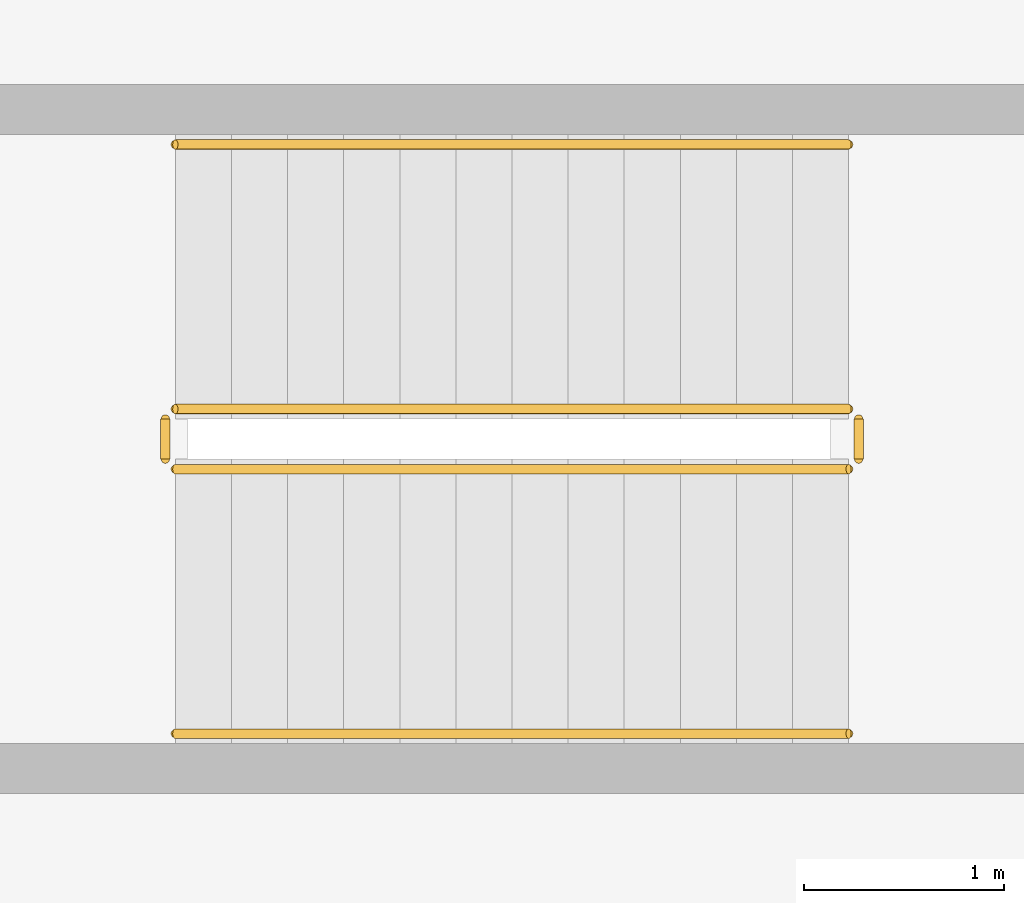
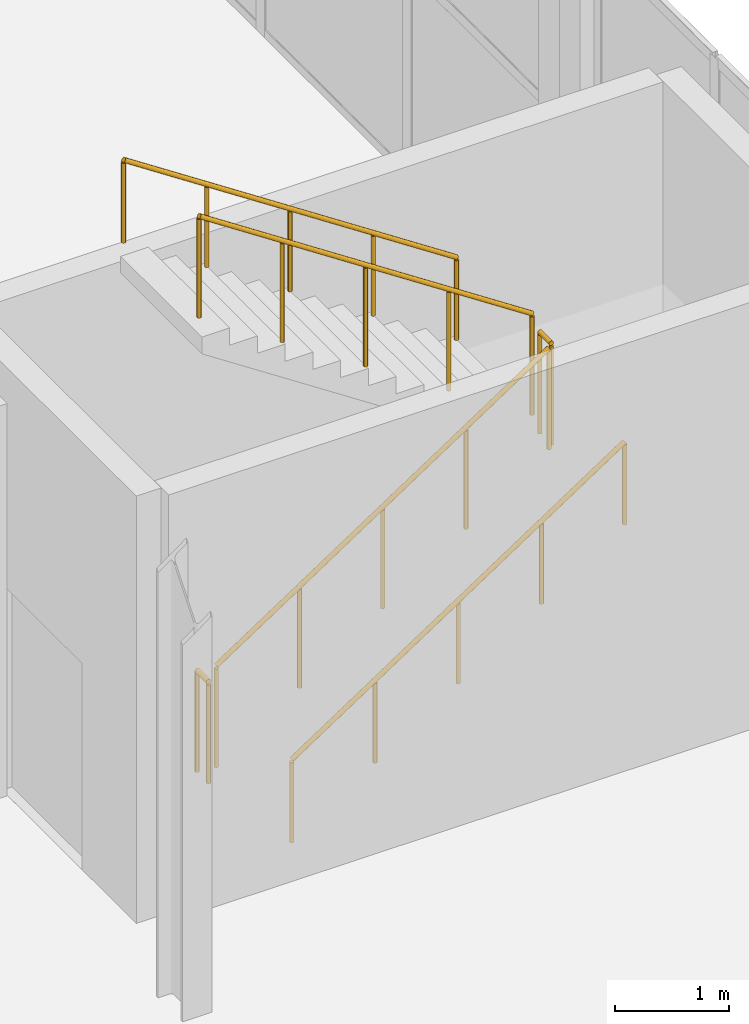
# One storey, part 110 of 120: 6 railings.
"""IFC4 building model written with IfcOpenShell, lengths in metres."""

from ifc_helpers import new_model, si_unit, direction, frame, origin, origin_2d, place, context, subcontext, project, spatial, circle, extrude, material, type_object, element, save


model = new_model("IFC4")

# Units and contexts
model_context = context("Model", 3, precision=1e-05, world=origin(), true_north=direction((0.0, 1.0)))
body_context = subcontext(model_context, "Body", "Model", "MODEL_VIEW")
ifc_project = project(units=[si_unit("LENGTHUNIT", "METRE"), si_unit("AREAUNIT", "SQUARE_METRE"), si_unit("VOLUMEUNIT", "CUBIC_METRE"), si_unit("PLANEANGLEUNIT", "RADIAN"), si_unit("MASSUNIT", "GRAM", prefix="KILO")], contexts=[model_context])

# Site, building, storey
site_placement = place(None, origin())
site = spatial("IfcSite", under=ifc_project, at=site_placement, CompositionType="ELEMENT")
building_placement = place(site_placement, origin())
building = spatial("IfcBuilding", under=site, at=building_placement, Name="Vekula Escarpment Museum", CompositionType="ELEMENT")
storey_placement = place(building_placement, frame((0.0, 0.0, 13.199951171875)))
storey = spatial("IfcBuildingStorey", under=building, at=storey_placement, Name="L03", CompositionType="ELEMENT", Elevation=13.199951171875)

# Railings
ifc_material_1 = material(Name="Painted Steel S355 stair guard", Category="steel")
railing_type_1 = type_object("IfcRailingType", Name="RL-STAIR-GUARD", PredefinedType="GUARDRAIL", material=ifc_material_1)
railing_1_placement = place(storey_placement, frame((119.919921875, 55.3701171875, 0.1845703125)))
element("IfcRailing", 1, at=railing_1_placement, inside=storey, type_object=railing_type_1, Name="L03 ST-08 stair guard 1", PredefinedType="GUARDRAIL", context=body_context, shape_type="SweptSolid", body=[
    extrude(circle(Radius=0.02392578125, at=origin_2d()), frame((0.0, 0.0, 1.076171875), z_axis=(0.834848600103, 0.0, 0.550479622607), x_axis=(0.0, 1.0, 0.0)), (0.0, 0.0, 1.0), 4.02490234375),
    extrude(circle(Radius=0.02099609375, at=origin_2d()), origin(), (0.0, 0.0, 1.0), 1.052001953125),
    extrude(circle(Radius=0.02099609375, at=origin_2d()), frame((0.840087890625, 0.0, 0.553955078125)), (0.0, 0.0, 1.0), 1.052001953125),
    extrude(circle(Radius=0.02099609375, at=origin_2d()), frame((1.68017578125, 0.0, 1.10791015625)), (0.0, 0.0, 1.0), 1.052001953125),
    extrude(circle(Radius=0.02099609375, at=origin_2d()), frame((2.52001953125, 0.0, 1.66162109375)), (0.0, 0.0, 1.0), 1.052001953125),
    extrude(circle(Radius=0.02099609375, at=origin_2d()), frame((3.360107421875, 0.0, 2.215576171875)), (0.0, 0.0, 1.0), 1.052001953125),
])
railing_2_placement = place(storey_placement, frame((123.330078125, 55.419921875, 2.400146484375)))
element("IfcRailing", 2, at=railing_2_placement, inside=storey, type_object=railing_type_1, Name="L03 ST-08 stair guard 2", PredefinedType="GUARDRAIL", context=body_context, shape_type="SweptSolid", body=[
    extrude(circle(Radius=0.02392578125, at=origin_2d()), frame((0.0, 0.0, 1.076171875), z_axis=(0.0, 1.0, 0.0), x_axis=(-1.0, 0.0, 0.0)), (0.0, 0.0, 1.0), 0.2001953125),
    extrude(circle(Radius=0.02099609375, at=origin_2d()), origin(), (0.0, 0.0, 1.0), 1.052001953125),
    extrude(circle(Radius=0.02099609375, at=origin_2d()), frame((0.0, 0.2001953125, 0.0)), (0.0, 0.0, 1.0), 1.052001953125),
])
railing_3_placement = place(storey_placement, frame((123.280029296875, 55.669921875, 2.584716796875)))
element("IfcRailing", 3, at=railing_3_placement, inside=storey, type_object=railing_type_1, Name="L03 ST-08 stair guard 3", PredefinedType="GUARDRAIL", context=body_context, shape_type="SweptSolid", body=[
    extrude(circle(Radius=0.02392578125, at=origin_2d()), frame((0.0, 0.0, 1.076171875), z_axis=(-0.834876476806, 0.0, 0.550437342915), x_axis=(0.0, -1.0, 0.0)), (0.0, 0.0, 1.0), 4.024658203125),
    extrude(circle(Radius=0.02099609375, at=origin_2d()), origin(), (0.0, 0.0, 1.0), 1.052001953125),
    extrude(circle(Radius=0.02099609375, at=origin_2d()), frame((-0.840087890625, 0.0, 0.5537109375)), (0.0, 0.0, 1.0), 1.052001953125),
    extrude(circle(Radius=0.02099609375, at=origin_2d()), frame((-1.68017578125, 0.0, 1.107666015625)), (0.0, 0.0, 1.0), 1.052001953125),
    extrude(circle(Radius=0.02099609375, at=origin_2d()), frame((-2.52001953125, 0.0, 1.66162109375)), (0.0, 0.0, 1.0), 1.052001953125),
    extrude(circle(Radius=0.02099609375, at=origin_2d()), frame((-3.360107421875, 0.0, 2.21533203125)), (0.0, 0.0, 1.0), 1.052001953125),
])
railing_4_placement = place(storey_placement, frame((119.8701171875, 55.419921875, 0.0)))
element("IfcRailing", 4, at=railing_4_placement, inside=storey, type_object=railing_type_1, Name="L03 ST-08 stair guard 4", PredefinedType="GUARDRAIL", context=body_context, shape_type="SweptSolid", body=[
    extrude(circle(Radius=0.02392578125, at=origin_2d()), frame((0.0, 0.0, 1.076171875), z_axis=(0.0, 1.0, 0.0), x_axis=(-1.0, 0.0, 0.0)), (0.0, 0.0, 1.0), 0.2001953125),
    extrude(circle(Radius=0.02099609375, at=origin_2d()), origin(), (0.0, 0.0, 1.0), 1.052001953125),
    extrude(circle(Radius=0.02099609375, at=origin_2d()), frame((0.0, 0.2001953125, 0.0)), (0.0, 0.0, 1.0), 1.052001953125),
])
ifc_material_2 = material(Name="Brushed stainless steel handrail", Category="steel")
railing_type_2 = type_object("IfcRailingType", Name="RL-STAIR-HAND", PredefinedType="HANDRAIL", material=ifc_material_2)
railing_5_placement = place(storey_placement, frame((119.919921875, 54.050048828125, 0.1845703125)))
element("IfcRailing", 5, at=railing_5_placement, inside=storey, type_object=railing_type_2, Name="L03 ST-08 stair handrail 1", PredefinedType="HANDRAIL", context=body_context, shape_type="SweptSolid", body=[
    extrude(circle(Radius=0.02392578125, at=origin_2d()), frame((0.0, 0.0, 0.8759765625), z_axis=(0.834848600103, 0.0, 0.550479622607), x_axis=(0.0, 1.0, 0.0)), (0.0, 0.0, 1.0), 4.02490234375),
    extrude(circle(Radius=0.02099609375, at=origin_2d()), origin(), (0.0, 0.0, 1.0), 0.851806640625),
    extrude(circle(Radius=0.02099609375, at=origin_2d()), frame((0.840087890625, 0.0, 0.553955078125)), (0.0, 0.0, 1.0), 0.851806640625),
    extrude(circle(Radius=0.02099609375, at=origin_2d()), frame((1.68017578125, 0.0, 1.10791015625)), (0.0, 0.0, 1.0), 0.851806640625),
    extrude(circle(Radius=0.02099609375, at=origin_2d()), frame((2.52001953125, 0.0, 1.66162109375)), (0.0, 0.0, 1.0), 0.851806640625),
    extrude(circle(Radius=0.02099609375, at=origin_2d()), frame((3.360107421875, 0.0, 2.215576171875)), (0.0, 0.0, 1.0), 0.851806640625),
])
railing_6_placement = place(storey_placement, frame((123.280029296875, 56.989990234375, 2.584716796875)))
element("IfcRailing", 6, at=railing_6_placement, inside=storey, type_object=railing_type_2, Name="L03 ST-08 stair handrail 2", PredefinedType="HANDRAIL", context=body_context, shape_type="SweptSolid", body=[
    extrude(circle(Radius=0.02392578125, at=origin_2d()), frame((0.0, 0.0, 0.8759765625), z_axis=(-0.834876476806, 0.0, 0.550437342915), x_axis=(0.0, -1.0, 0.0)), (0.0, 0.0, 1.0), 4.024658203125),
    extrude(circle(Radius=0.02099609375, at=origin_2d()), origin(), (0.0, 0.0, 1.0), 0.851806640625),
    extrude(circle(Radius=0.02099609375, at=origin_2d()), frame((-0.840087890625, 0.0, 0.5537109375)), (0.0, 0.0, 1.0), 0.851806640625),
    extrude(circle(Radius=0.02099609375, at=origin_2d()), frame((-1.68017578125, 0.0, 1.107666015625)), (0.0, 0.0, 1.0), 0.851806640625),
    extrude(circle(Radius=0.02099609375, at=origin_2d()), frame((-2.52001953125, 0.0, 1.66162109375)), (0.0, 0.0, 1.0), 0.851806640625),
    extrude(circle(Radius=0.02099609375, at=origin_2d()), frame((-3.360107421875, 0.0, 2.21533203125)), (0.0, 0.0, 1.0), 0.851806640625),
])

save(model, "model.ifc")
